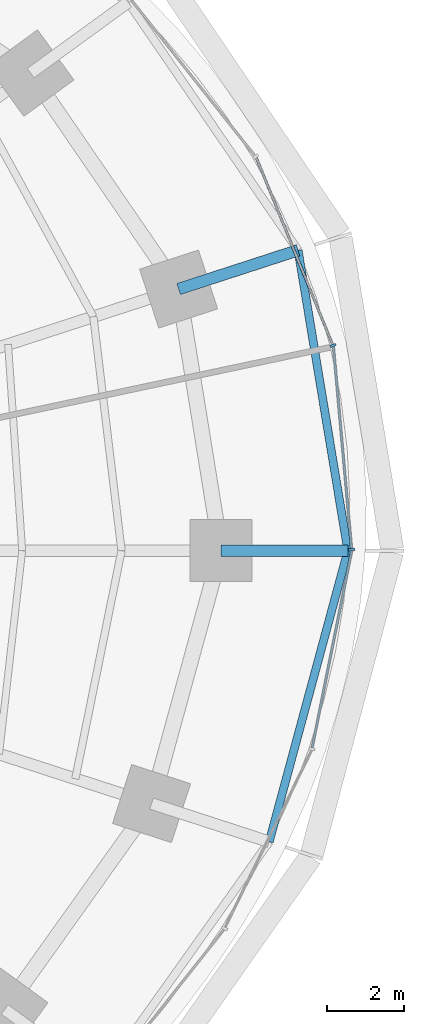
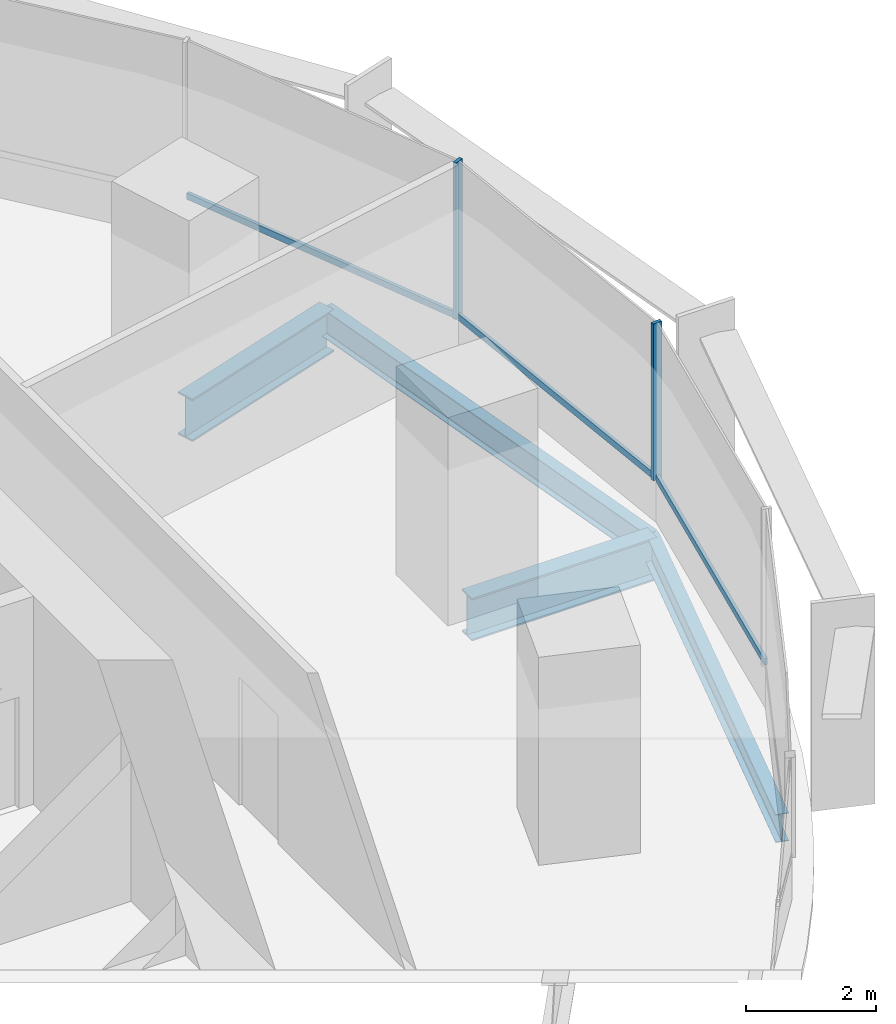
# One storey, part 6 of 14: 5 members, 4 beams, 2 elements without a shape of their own.
"""IFC4 building model written with IfcOpenShell, lengths in metres."""

from ifc_helpers import new_model, si_unit, direction, frame, origin, origin_2d, place, context, subcontext, project, spatial, rectangle, i_section, extrude, material, material_profile, profile_set, type_object, element, aggregate, save


model = new_model("IFC4")

# Units and contexts
model_context = context("Model", 3, precision=1e-05, world=origin(), true_north=direction((0.0, 1.0)))
body_context = subcontext(model_context, "Body", "Model", "MODEL_VIEW")
ifc_project = project(units=[si_unit("LENGTHUNIT", "METRE"), si_unit("AREAUNIT", "SQUARE_METRE"), si_unit("VOLUMEUNIT", "CUBIC_METRE"), si_unit("PLANEANGLEUNIT", "RADIAN"), si_unit("MASSUNIT", "GRAM", prefix="KILO")], contexts=[model_context])

# Site, building, storey
site_placement = place(None, origin())
site = spatial("IfcSite", under=ifc_project, at=site_placement, CompositionType="ELEMENT")
building_placement = place(site_placement, origin())
building = spatial("IfcBuilding", under=site, at=building_placement, Name="Marramba Exchange Tower", CompositionType="ELEMENT")
storey_placement = place(building_placement, frame((0.0, 0.0, 111.89990234375)))
storey = spatial("IfcBuildingStorey", under=building, at=storey_placement, Name="L26", CompositionType="ELEMENT", Elevation=111.89990234375)

# Beams
ifc_material_1 = material(Name="Steel AS/NZS 3679.2 grade 300", Category="steel")
ifc_material_profile_1 = material_profile(ifc_material_1, i_section(OverallWidth=0.300048828125, OverallDepth=0.800048828125, WebThickness=0.013916015625, FlangeThickness=0.031982421875, at=origin_2d()), Name="800WB192")
ifc_profile_set_1 = profile_set([ifc_material_profile_1], Name="Steel AS/NZS 3679.2 grade 300")
beam_type_1 = type_object("IfcBeamType", Name="Cantilever girder 800WB192", PredefinedType="BEAM", material=ifc_profile_set_1)
beam_1_placement = place(storey_placement, frame((21.89990234375, 0.0, -0.559814453125), z_axis=(1.0, 0.0, 0.0), x_axis=(0.0, 1.0, 0.0)))
element("IfcBeam", 1, at=beam_1_placement, inside=storey, type_object=beam_type_1, Name="Cantilever girder L26 TC01", PredefinedType="BEAM", context=body_context, shape_type="SweptSolid", body=[
    extrude(i_section(OverallWidth=0.300048828125, OverallDepth=0.800048828125, WebThickness=0.013916015625, FlangeThickness=0.031982421875, at=origin_2d()), origin(), (0.0, 0.0, 1.0), 3.281982421875),
])
beam_2_placement = place(storey_placement, frame((20.808349609375, 6.760986328125, -0.559814453125), z_axis=(0.95105562578, 0.309019735087, 0.0), x_axis=(-0.309019735087, 0.95105562578, 0.0)))
element("IfcBeam", 2, at=beam_2_placement, inside=storey, type_object=beam_type_1, Name="Cantilever girder L26 TC02", PredefinedType="BEAM", context=body_context, shape_type="SweptSolid", body=[
    extrude(i_section(OverallWidth=0.300048828125, OverallDepth=0.800048828125, WebThickness=0.013916015625, FlangeThickness=0.031982421875, at=origin_2d()), origin(), (0.0, 0.0, 1.0), 3.24560546875),
])

# Curtain wall, members
ifc_material_2 = material(Name="Aluminium framing, bronze anodised", Category="aluminium")
curtain_wall_type = type_object("IfcCurtainWallType", Name="Office ribbon curtain wall", PredefinedType="USERDEFINED", material=ifc_material_2)
curtain_wall_1_placement = place(storey_placement, origin())
curtain_wall_1 = element("IfcCurtainWall", 3, at=curtain_wall_1_placement, inside=storey, type_object=curtain_wall_type, Name="Curtain wall CW4 L26 F01-F05", ObjectType="RIBBON CURTAIN WALL", PredefinedType="USERDEFINED")
ifc_material_3 = material(Name="Aluminium mullion, bronze anodised", Category="aluminium")
ifc_material_profile_2 = material_profile(ifc_material_3, rectangle(XDim=0.159912109375, YDim=0.06005859375, at=origin_2d()), Name="CW4 mullion 60x160")
ifc_profile_set_2 = profile_set([ifc_material_profile_2], Name="Aluminium mullion, bronze anodised")
member_type_1 = type_object("IfcMemberType", Name="Office ribbon curtain wall mullion", PredefinedType="MULLION", material=ifc_profile_set_2)
member_1_placement = place(storey_placement, frame((25.279296875, 0.02978515625, 0.800048828125), z_axis=(0.0, 0.0, 1.0), x_axis=(-0.995994646311, -0.089412887889, 0.0)))
member_1 = element("IfcMember", 4, at=member_1_placement, type_object=member_type_1, Name="CW4 mullion 1", PredefinedType="MULLION", context=body_context, shape_type="SweptSolid", body=[
    extrude(rectangle(XDim=0.159912109375, YDim=0.06005859375, at=origin_2d()), origin(), (0.0, 0.0, 1.0), 2.93994140625),
])
member_2_placement = place(storey_placement, frame((24.79736328125, 5.301025390625, 0.800048828125), z_axis=(0.0, 0.0, 1.0), x_axis=(-0.925878584668, -0.377821183171, 0.0)))
member_2 = element("IfcMember", 5, at=member_2_placement, type_object=member_type_1, Name="CW4 mullion 1", PredefinedType="MULLION", context=body_context, shape_type="SweptSolid", body=[
    extrude(rectangle(XDim=0.159912109375, YDim=0.06005859375, at=origin_2d()), origin(), (0.0, 0.0, 1.0), 2.93994140625),
])
ifc_material_4 = material(Name="Aluminium transom, bronze anodised", Category="aluminium")
ifc_material_profile_3 = material_profile(ifc_material_4, rectangle(XDim=0.06005859375, YDim=0.1201171875, at=origin_2d()), Name="CW4 transom 60x120")
ifc_profile_set_3 = profile_set([ifc_material_profile_3], Name="Aluminium transom, bronze anodised")
member_type_2 = type_object("IfcMemberType", Name="Office ribbon curtain wall transom", PredefinedType="USERDEFINED", material=ifc_profile_set_3)
member_3_placement = place(storey_placement, frame((25.276611328125, 0.059814453125, 0.830078125), z_axis=(-0.089412838135, 0.995994650777, 0.0), x_axis=(-0.995994650777, -0.089412838135, 0.0)))
member_3 = element("IfcMember", 6, at=member_3_placement, type_object=member_type_2, Name="CW4 sill transom", ObjectType="TRANSOM", PredefinedType="USERDEFINED", context=body_context, shape_type="SweptSolid", body=[
    extrude(rectangle(XDim=0.06005859375, YDim=0.1201171875, at=origin_2d()), origin(), (0.0, 0.0, 1.0), 5.234375),
])
member_4_placement = place(storey_placement, frame((24.785888671875, 5.328857421875, 0.830078125), z_axis=(-0.377838039034, 0.925871706155, 0.0), x_axis=(-0.925871706155, -0.377838039034, 0.0)))
member_4 = element("IfcMember", 7, at=member_4_placement, type_object=member_type_2, Name="CW4 sill transom", ObjectType="TRANSOM", PredefinedType="USERDEFINED", context=body_context, shape_type="SweptSolid", body=[
    extrude(rectangle(XDim=0.06005859375, YDim=0.1201171875, at=origin_2d()), origin(), (0.0, 0.0, 1.0), 5.2158203125),
])
aggregate(curtain_wall_1, [member_1, member_3, member_2, member_4])

# Curtain wall, member
curtain_wall_2_placement = place(storey_placement, origin())
curtain_wall_2 = element("IfcCurtainWall", 8, at=curtain_wall_2_placement, inside=storey, type_object=curtain_wall_type, Name="Curtain wall CW4 L26 F26-F30", ObjectType="RIBBON CURTAIN WALL", PredefinedType="USERDEFINED")
member_5_placement = place(storey_placement, frame((24.258056640625, -5.094970703125, 0.830078125), z_axis=(0.197028520451, 0.980397757101, 0.0), x_axis=(-0.980397757101, 0.197028520451, 0.0)))
member_5 = element("IfcMember", 9, at=member_5_placement, type_object=member_type_2, Name="CW4 sill transom", ObjectType="TRANSOM", PredefinedType="USERDEFINED", context=body_context, shape_type="SweptSolid", body=[
    extrude(rectangle(XDim=0.06005859375, YDim=0.1201171875, at=origin_2d()), origin(), (0.0, 0.0, 1.0), 5.19677734375),
])
aggregate(curtain_wall_2, [member_5])

# Beams
ifc_material_5 = material(Name="Steel AS/NZS 3679.1 grade 300", Category="steel")
ifc_material_profile_4 = material_profile(ifc_material_5, i_section(OverallWidth=0.208984375, OverallDepth=0.528076171875, WebThickness=0.009521484375, FlangeThickness=0.01318359375, FilletRadius=0.013916015625, at=origin_2d()), Name="530UB82.0")
ifc_profile_set_4 = profile_set([ifc_material_profile_4], Name="Steel AS/NZS 3679.1 grade 300")
beam_type_2 = type_object("IfcBeamType", Name="Slab edge beam 530UB82.0", PredefinedType="SPANDREL", material=ifc_profile_set_4)
beam_3_placement = place(storey_placement, frame((25.181884765625, 0.0, -0.423828125), z_axis=(-0.163518559175, 0.986540258076, 0.0), x_axis=(-0.986540258076, -0.163518559175, 0.0)))
element("IfcBeam", 10, at=beam_3_placement, inside=storey, type_object=beam_type_2, Name="Slab edge beam L26 TC01-TC02", PredefinedType="SPANDREL", context=body_context, shape_type="SweptSolid", body=[
    extrude(i_section(OverallWidth=0.208984375, OverallDepth=0.528076171875, WebThickness=0.009521484375, FlangeThickness=0.01318359375, FilletRadius=0.013916015625, at=origin_2d()), origin(), (0.0, 0.0, 1.0), 7.869873046875),
])
beam_4_placement = place(storey_placement, frame((23.148681640625, -7.521484375, -0.423828125), z_axis=(0.260953221575, 0.965351446961, 0.0), x_axis=(-0.965351446961, 0.260953221575, 0.0)))
element("IfcBeam", 11, at=beam_4_placement, inside=storey, type_object=beam_type_2, Name="Slab edge beam L26 TC20-TC01", PredefinedType="SPANDREL", context=body_context, shape_type="SweptSolid", body=[
    extrude(i_section(OverallWidth=0.208984375, OverallDepth=0.528076171875, WebThickness=0.009521484375, FlangeThickness=0.01318359375, FilletRadius=0.013916015625, at=origin_2d()), origin(), (0.0, 0.0, 1.0), 7.79150390625),
])

save(model, "model.ifc")
